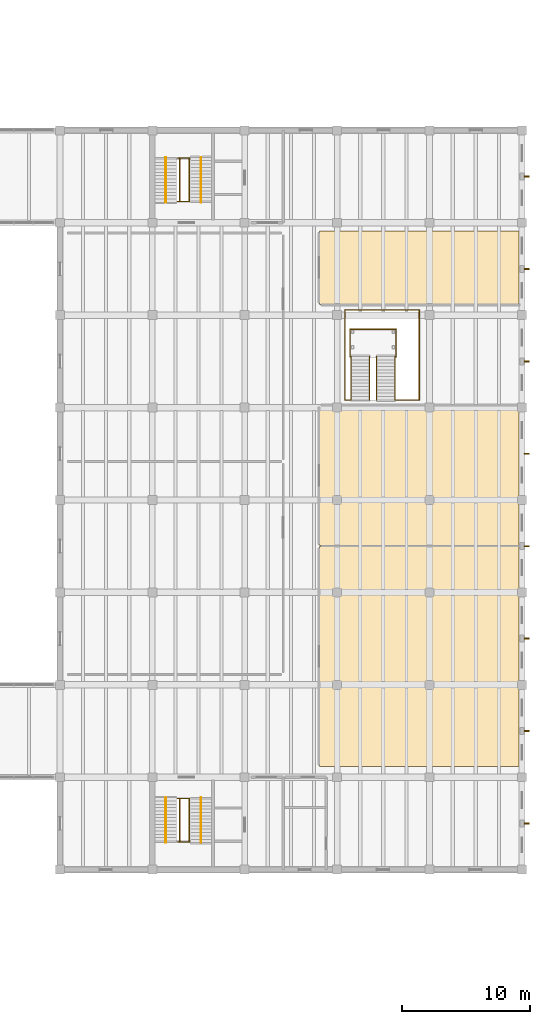
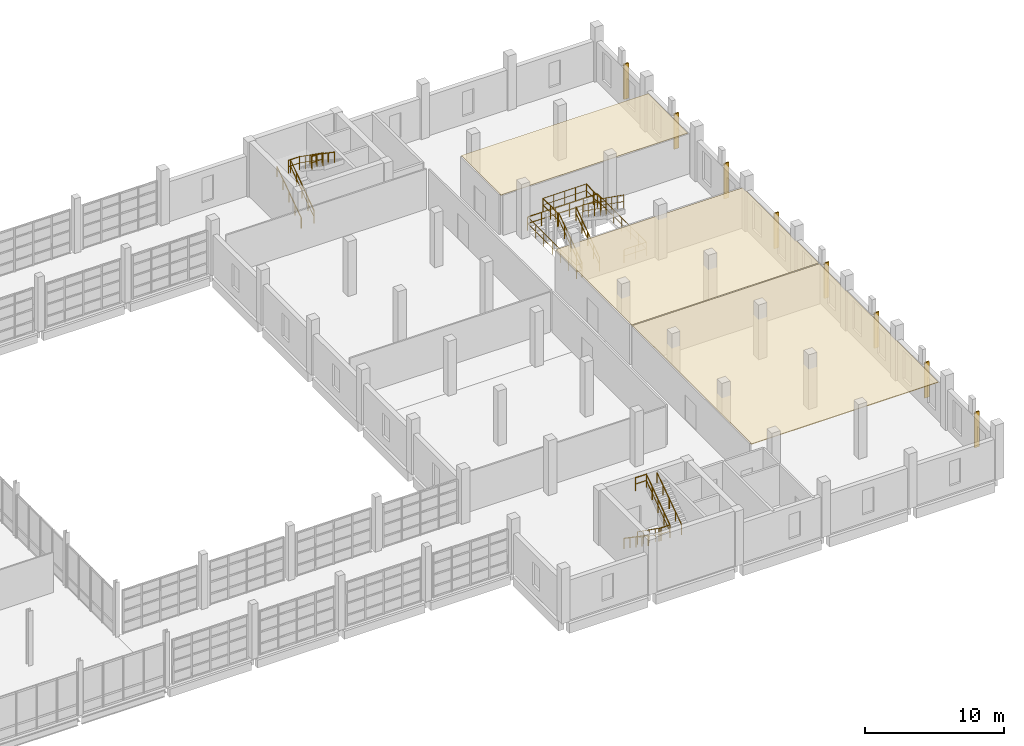
# One storey, part 77 of 77: 24 railings, 8 shading devices, 3 coverings.
"""IFC4 building model written with IfcOpenShell, lengths in metres."""

from ifc_helpers import new_model, si_unit, direction, frame, origin, origin_2d, place, context, subcontext, project, spatial, polyline, rectangle, circle, outline, extrude, material, layer, layer_set, material_profile, profile_set, type_object, element, save


model = new_model("IFC4")

# Units and contexts
model_context = context("Model", 3, precision=1e-05, world=origin(), true_north=direction((0.0, 1.0)))
body_context = subcontext(model_context, "Body", "Model", "MODEL_VIEW")
ifc_project = project(units=[si_unit("LENGTHUNIT", "METRE"), si_unit("AREAUNIT", "SQUARE_METRE"), si_unit("VOLUMEUNIT", "CUBIC_METRE"), si_unit("PLANEANGLEUNIT", "RADIAN"), si_unit("MASSUNIT", "GRAM", prefix="KILO")], contexts=[model_context])

# Site, building, storey
site_placement = place(None, origin())
site = spatial("IfcSite", under=ifc_project, at=site_placement, CompositionType="ELEMENT")
building_placement = place(site_placement, origin())
building = spatial("IfcBuilding", under=site, at=building_placement, Name="Qiaolan Assembly House", CompositionType="ELEMENT")
storey_placement = place(building_placement, frame((0.0, 0.0, 5.39990234375)))
storey = spatial("IfcBuildingStorey", under=building, at=storey_placement, Name="L01", CompositionType="ELEMENT", Elevation=5.39990234375)

# Coverings
ifc_material_1 = material(Name="Gypsum plasterboard acoustic ceiling")
ifc_layer_1 = layer(ifc_material_1, 0.044921875)
ifc_layer_set_1 = layer_set([ifc_layer_1], Name="Gypsum plasterboard acoustic ceiling")
covering_type_1 = type_object("IfcCoveringType", Name="COV-CEIL-ACOUSTIC", PredefinedType="CEILING", material=ifc_layer_set_1)
covering_1_placement = place(storey_placement, frame((0.0, 0.0, 3.47509765625)))
element("IfcCovering", 1, at=covering_1_placement, inside=storey, type_object=covering_type_1, Name="Coffer ceiling Parliamentary Research & Carrel Seminar Room", PredefinedType="CEILING", context=body_context, shape_type="SweptSolid", body=[
    extrude(outline(polyline([(157.0400390625, 72.840087890625), (172.550048828125, 72.840087890625), (172.550048828125, 78.56005859375), (157.0400390625, 78.56005859375), (157.0400390625, 72.840087890625)])), origin(), (0.0, 0.0, 1.0), 0.044921875),
])
ifc_material_2 = material(Name="Acoustic oak panelling")
ifc_layer_2 = layer(ifc_material_2, 0.06396484375)
ifc_layer_set_2 = layer_set([ifc_layer_2], Name="Acoustic oak panelling")
covering_type_2 = type_object("IfcCoveringType", Name="COV-CEIL-COFFERED", PredefinedType="CEILING", material=ifc_layer_set_2)
covering_2_placement = place(storey_placement, frame((0.0, 0.0, 3.4560546875)))
element("IfcCovering", 2, at=covering_2_placement, inside=storey, type_object=covering_type_2, Name="Coffer ceiling Members' Library Main Reading Hall", PredefinedType="CEILING", context=body_context, shape_type="SweptSolid", body=[
    extrude(outline(polyline([(157.0400390625, 36.840087890625), (172.550048828125, 36.840087890625), (172.550048828125, 53.9599609375), (157.0400390625, 53.9599609375), (157.0400390625, 36.840087890625)])), origin(), (0.0, 0.0, 1.0), 0.06396484375),
])
covering_3_placement = place(storey_placement, frame((0.0, 0.0, 3.4560546875)))
element("IfcCovering", 3, at=covering_3_placement, inside=storey, type_object=covering_type_2, Name="Coffer ceiling Legislative History & Constitutional Stacks", PredefinedType="CEILING", context=body_context, shape_type="SweptSolid", body=[
    extrude(outline(polyline([(157.0400390625, 54.0400390625), (172.550048828125, 54.0400390625), (172.550048828125, 64.9599609375), (157.0400390625, 64.9599609375), (157.0400390625, 54.0400390625)])), origin(), (0.0, 0.0, 1.0), 0.06396484375),
])

# Railings
ifc_material_3 = material(Name="Anodised bronze aluminium", Category="aluminium")
railing_type_1 = type_object("IfcRailingType", Name="RAL-GUARD-GALLERY-1200", PredefinedType="BALUSTRADE", material=ifc_material_3)
for number, where, name in (
    (4, (159.47998046875, 65.39990234375, 0.0), "GR-02 library flight guard FLT-ST-LB2-1-L"),
    (5, (160.919921875, 65.39990234375, 0.0), "GR-02 library flight guard FLT-ST-LB2-1-R"),
):
    element("IfcRailing", number, at=place(storey_placement, frame(where)), inside=storey, type_object=railing_type_1, Name=name, PredefinedType="BALUSTRADE", context=body_context, shape_type="SweptSolid", body=[
        extrude(circle(Radius=0.02392578125, at=origin_2d()), frame((0.0, 0.0, 1.17578125), z_axis=(0.0, 0.815353794257, 0.578963030072), x_axis=(-1.0, 0.0, 0.0)), (0.0, 0.0, 1.0), 4.1455078125),
        extrude(circle(Radius=0.01611328125, at=origin_2d()), frame((0.0, 0.0, 0.60009765625), z_axis=(0.0, 0.815353794257, 0.578963030072), x_axis=(-1.0, 0.0, 0.0)), (0.0, 0.0, 1.0), 4.1455078125),
        extrude(circle(Radius=0.02099609375, at=origin_2d()), origin(), (0.0, 0.0, 1.0), 1.15185546875),
        extrude(circle(Radius=0.02099609375, at=origin_2d()), frame((0.0, 0.844970703125, 0.60009765625)), (0.0, 0.0, 1.0), 1.15185546875),
        extrude(circle(Radius=0.02099609375, at=origin_2d()), frame((0.0, 1.68994140625, 1.2001953125)), (0.0, 0.0, 1.0), 1.15185546875),
        extrude(circle(Radius=0.02099609375, at=origin_2d()), frame((0.0, 2.53515625, 1.800048828125)), (0.0, 0.0, 1.0), 1.15185546875),
        extrude(circle(Radius=0.02099609375, at=origin_2d()), frame((0.0, 3.380126953125, 2.400146484375)), (0.0, 0.0, 1.0), 1.15185546875),
    ])
for number, where, name in (
    (6, (161.47998046875, 68.780029296875, 2.400146484375), "GR-02 library flight guard FLT-ST-LB2-2-L"),
    (7, (162.919921875, 68.780029296875, 2.400146484375), "GR-02 library flight guard FLT-ST-LB2-2-R"),
):
    element("IfcRailing", number, at=place(storey_placement, frame(where)), inside=storey, type_object=railing_type_1, Name=name, PredefinedType="BALUSTRADE", context=body_context, shape_type="SweptSolid", body=[
        extrude(circle(Radius=0.02392578125, at=origin_2d()), frame((0.0, 0.0, 1.17578125), z_axis=(0.0, -0.815381594603, 0.578923876847), x_axis=(1.0, 0.0, 0.0)), (0.0, 0.0, 1.0), 4.1455078125),
        extrude(circle(Radius=0.01611328125, at=origin_2d()), frame((0.0, 0.0, 0.60009765625), z_axis=(0.0, -0.815381594603, 0.578923876847), x_axis=(1.0, 0.0, 0.0)), (0.0, 0.0, 1.0), 4.1455078125),
        extrude(circle(Radius=0.02099609375, at=origin_2d()), origin(), (0.0, 0.0, 1.0), 1.15185546875),
        extrude(circle(Radius=0.02099609375, at=origin_2d()), frame((0.0, -0.844970703125, 0.60009765625)), (0.0, 0.0, 1.0), 1.15185546875),
        extrude(circle(Radius=0.02099609375, at=origin_2d()), frame((0.0, -1.68994140625, 1.199951171875)), (0.0, 0.0, 1.0), 1.15185546875),
        extrude(circle(Radius=0.02099609375, at=origin_2d()), frame((0.0, -2.53515625, 1.7998046875)), (0.0, 0.0, 1.0), 1.15185546875),
        extrude(circle(Radius=0.02099609375, at=origin_2d()), frame((0.0, -3.380126953125, 2.39990234375)), (0.0, 0.0, 1.0), 1.15185546875),
    ])
railing_1_placement = place(storey_placement, frame((159.39990234375, 68.780029296875, 2.400146484375)))
element("IfcRailing", 8, at=railing_1_placement, inside=storey, type_object=railing_type_1, Name="GR-02 library mid-landing guard ST-LB2 seg 1", PredefinedType="BALUSTRADE", context=body_context, shape_type="SweptSolid", body=[
    extrude(circle(Radius=0.02392578125, at=origin_2d()), frame((0.0, 0.0, 1.17578125), z_axis=(0.0, 1.0, 0.0), x_axis=(-1.0, 0.0, 0.0)), (0.0, 0.0, 1.0), 2.119873046875),
    extrude(circle(Radius=0.01611328125, at=origin_2d()), frame((0.0, 0.0, 0.60009765625), z_axis=(0.0, 1.0, 0.0), x_axis=(-1.0, 0.0, 0.0)), (0.0, 0.0, 1.0), 2.119873046875),
    extrude(circle(Radius=0.02099609375, at=origin_2d()), origin(), (0.0, 0.0, 1.0), 1.15185546875),
    extrude(circle(Radius=0.02099609375, at=origin_2d()), frame((0.0, 1.06005859375, 0.0)), (0.0, 0.0, 1.0), 1.15185546875),
    extrude(circle(Radius=0.02099609375, at=origin_2d()), frame((0.0, 2.119873046875, 0.0)), (0.0, 0.0, 1.0), 1.15185546875),
])
railing_2_placement = place(storey_placement, frame((159.39990234375, 70.89990234375, 2.400146484375)))
element("IfcRailing", 9, at=railing_2_placement, inside=storey, type_object=railing_type_1, Name="GR-02 library mid-landing guard ST-LB2 seg 2", PredefinedType="BALUSTRADE", context=body_context, shape_type="SweptSolid", body=[
    extrude(circle(Radius=0.02392578125, at=origin_2d()), frame((0.0, 0.0, 1.17578125), z_axis=(1.0, 0.0, 0.0), x_axis=(0.0, 1.0, 0.0)), (0.0, 0.0, 1.0), 3.60009765625),
    extrude(circle(Radius=0.01611328125, at=origin_2d()), frame((0.0, 0.0, 0.60009765625), z_axis=(1.0, 0.0, 0.0), x_axis=(0.0, 1.0, 0.0)), (0.0, 0.0, 1.0), 3.60009765625),
    extrude(circle(Radius=0.02099609375, at=origin_2d()), origin(), (0.0, 0.0, 1.0), 1.15185546875),
    extrude(circle(Radius=0.02099609375, at=origin_2d()), frame((0.89990234375, 0.0, 0.0)), (0.0, 0.0, 1.0), 1.15185546875),
    extrude(circle(Radius=0.02099609375, at=origin_2d()), frame((1.800048828125, 0.0, 0.0)), (0.0, 0.0, 1.0), 1.15185546875),
    extrude(circle(Radius=0.02099609375, at=origin_2d()), frame((2.7001953125, 0.0, 0.0)), (0.0, 0.0, 1.0), 1.15185546875),
    extrude(circle(Radius=0.02099609375, at=origin_2d()), frame((3.60009765625, 0.0, 0.0)), (0.0, 0.0, 1.0), 1.15185546875),
])
railing_3_placement = place(storey_placement, frame((163.0, 70.89990234375, 2.400146484375)))
element("IfcRailing", 10, at=railing_3_placement, inside=storey, type_object=railing_type_1, Name="GR-02 library mid-landing guard ST-LB2 seg 3", PredefinedType="BALUSTRADE", context=body_context, shape_type="SweptSolid", body=[
    extrude(circle(Radius=0.02392578125, at=origin_2d()), frame((0.0, 0.0, 1.17578125), z_axis=(0.0, -1.0, 0.0), x_axis=(1.0, 0.0, 0.0)), (0.0, 0.0, 1.0), 2.119873046875),
    extrude(circle(Radius=0.01611328125, at=origin_2d()), frame((0.0, 0.0, 0.60009765625), z_axis=(0.0, -1.0, 0.0), x_axis=(1.0, 0.0, 0.0)), (0.0, 0.0, 1.0), 2.119873046875),
    extrude(circle(Radius=0.02099609375, at=origin_2d()), origin(), (0.0, 0.0, 1.0), 1.15185546875),
    extrude(circle(Radius=0.02099609375, at=origin_2d()), frame((0.0, -1.06005859375, 0.0)), (0.0, 0.0, 1.0), 1.15185546875),
    extrude(circle(Radius=0.02099609375, at=origin_2d()), frame((0.0, -2.119873046875, 0.0)), (0.0, 0.0, 1.0), 1.15185546875),
])
railing_4_placement = place(storey_placement, frame((159.449951171875, 65.39990234375, 0.0)))
element("IfcRailing", 11, at=railing_4_placement, inside=storey, type_object=railing_type_1, Name="GR-02 Library Reading Well Balustrade L01 seg 1", PredefinedType="BALUSTRADE", context=body_context, shape_type="SweptSolid", body=[
    extrude(circle(Radius=0.02392578125, at=origin_2d()), frame((0.0, 0.0, 1.17578125), z_axis=(-1.0, 0.0, 0.0), x_axis=(0.0, -1.0, 0.0)), (0.0, 0.0, 1.0), 0.449951171875),
    extrude(circle(Radius=0.01611328125, at=origin_2d()), frame((0.0, 0.0, 0.60009765625), z_axis=(-1.0, 0.0, 0.0), x_axis=(0.0, -1.0, 0.0)), (0.0, 0.0, 1.0), 0.449951171875),
    extrude(circle(Radius=0.02099609375, at=origin_2d()), origin(), (0.0, 0.0, 1.0), 1.15185546875),
    extrude(circle(Radius=0.02099609375, at=origin_2d()), frame((-0.449951171875, 0.0, 0.0)), (0.0, 0.0, 1.0), 1.15185546875),
])
railing_5_placement = place(storey_placement, frame((159.0, 65.39990234375, 0.0)))
element("IfcRailing", 12, at=railing_5_placement, inside=storey, type_object=railing_type_1, Name="GR-02 Library Reading Well Balustrade L01 seg 2", PredefinedType="BALUSTRADE", context=body_context, shape_type="SweptSolid", body=[
    extrude(circle(Radius=0.02392578125, at=origin_2d()), frame((0.0, 0.0, 1.17578125), z_axis=(0.0, 1.0, 0.0), x_axis=(-1.0, 0.0, 0.0)), (0.0, 0.0, 1.0), 7.0),
    extrude(circle(Radius=0.01611328125, at=origin_2d()), frame((0.0, 0.0, 0.60009765625), z_axis=(0.0, 1.0, 0.0), x_axis=(-1.0, 0.0, 0.0)), (0.0, 0.0, 1.0), 7.0),
    extrude(circle(Radius=0.02099609375, at=origin_2d()), origin(), (0.0, 0.0, 1.0), 1.15185546875),
    extrude(circle(Radius=0.02099609375, at=origin_2d()), frame((0.0, 1.166748046875, 0.0)), (0.0, 0.0, 1.0), 1.15185546875),
    extrude(circle(Radius=0.02099609375, at=origin_2d()), frame((0.0, 2.333251953125, 0.0)), (0.0, 0.0, 1.0), 1.15185546875),
    extrude(circle(Radius=0.02099609375, at=origin_2d()), frame((0.0, 3.5, 0.0)), (0.0, 0.0, 1.0), 1.15185546875),
    extrude(circle(Radius=0.02099609375, at=origin_2d()), frame((0.0, 4.666748046875, 0.0)), (0.0, 0.0, 1.0), 1.15185546875),
    extrude(circle(Radius=0.02099609375, at=origin_2d()), frame((0.0, 5.833251953125, 0.0)), (0.0, 0.0, 1.0), 1.15185546875),
    extrude(circle(Radius=0.02099609375, at=origin_2d()), frame((0.0, 7.0, 0.0)), (0.0, 0.0, 1.0), 1.15185546875),
])
railing_6_placement = place(storey_placement, frame((159.0, 72.39990234375, 0.0)))
element("IfcRailing", 13, at=railing_6_placement, inside=storey, type_object=railing_type_1, Name="GR-02 Library Reading Well Balustrade L01 seg 3", PredefinedType="BALUSTRADE", context=body_context, shape_type="SweptSolid", body=[
    extrude(circle(Radius=0.02392578125, at=origin_2d()), frame((0.0, 0.0, 1.17578125), z_axis=(1.0, 0.0, 0.0), x_axis=(0.0, 1.0, 0.0)), (0.0, 0.0, 1.0), 5.800048828125),
    extrude(circle(Radius=0.01611328125, at=origin_2d()), frame((0.0, 0.0, 0.60009765625), z_axis=(1.0, 0.0, 0.0), x_axis=(0.0, 1.0, 0.0)), (0.0, 0.0, 1.0), 5.800048828125),
    extrude(circle(Radius=0.02099609375, at=origin_2d()), origin(), (0.0, 0.0, 1.0), 1.15185546875),
    extrude(circle(Radius=0.02099609375, at=origin_2d()), frame((1.159912109375, 0.0, 0.0)), (0.0, 0.0, 1.0), 1.15185546875),
    extrude(circle(Radius=0.02099609375, at=origin_2d()), frame((2.320068359375, 0.0, 0.0)), (0.0, 0.0, 1.0), 1.15185546875),
    extrude(circle(Radius=0.02099609375, at=origin_2d()), frame((3.47998046875, 0.0, 0.0)), (0.0, 0.0, 1.0), 1.15185546875),
    extrude(circle(Radius=0.02099609375, at=origin_2d()), frame((4.64013671875, 0.0, 0.0)), (0.0, 0.0, 1.0), 1.15185546875),
    extrude(circle(Radius=0.02099609375, at=origin_2d()), frame((5.800048828125, 0.0, 0.0)), (0.0, 0.0, 1.0), 1.15185546875),
])
railing_7_placement = place(storey_placement, frame((164.800048828125, 72.39990234375, 0.0)))
element("IfcRailing", 14, at=railing_7_placement, inside=storey, type_object=railing_type_1, Name="GR-02 Library Reading Well Balustrade L01 seg 4", PredefinedType="BALUSTRADE", context=body_context, shape_type="SweptSolid", body=[
    extrude(circle(Radius=0.02392578125, at=origin_2d()), frame((0.0, 0.0, 1.17578125), z_axis=(0.0, -1.0, 0.0), x_axis=(1.0, 0.0, 0.0)), (0.0, 0.0, 1.0), 7.0),
    extrude(circle(Radius=0.01611328125, at=origin_2d()), frame((0.0, 0.0, 0.60009765625), z_axis=(0.0, -1.0, 0.0), x_axis=(1.0, 0.0, 0.0)), (0.0, 0.0, 1.0), 7.0),
    extrude(circle(Radius=0.02099609375, at=origin_2d()), origin(), (0.0, 0.0, 1.0), 1.15185546875),
    extrude(circle(Radius=0.02099609375, at=origin_2d()), frame((0.0, -1.166748046875, 0.0)), (0.0, 0.0, 1.0), 1.15185546875),
    extrude(circle(Radius=0.02099609375, at=origin_2d()), frame((0.0, -2.333251953125, 0.0)), (0.0, 0.0, 1.0), 1.15185546875),
    extrude(circle(Radius=0.02099609375, at=origin_2d()), frame((0.0, -3.5, 0.0)), (0.0, 0.0, 1.0), 1.15185546875),
    extrude(circle(Radius=0.02099609375, at=origin_2d()), frame((0.0, -4.666748046875, 0.0)), (0.0, 0.0, 1.0), 1.15185546875),
    extrude(circle(Radius=0.02099609375, at=origin_2d()), frame((0.0, -5.833251953125, 0.0)), (0.0, 0.0, 1.0), 1.15185546875),
    extrude(circle(Radius=0.02099609375, at=origin_2d()), frame((0.0, -7.0, 0.0)), (0.0, 0.0, 1.0), 1.15185546875),
])
railing_8_placement = place(storey_placement, frame((164.800048828125, 65.39990234375, 0.0)))
element("IfcRailing", 15, at=railing_8_placement, inside=storey, type_object=railing_type_1, Name="GR-02 Library Reading Well Balustrade L01 seg 5", PredefinedType="BALUSTRADE", context=body_context, shape_type="SweptSolid", body=[
    extrude(circle(Radius=0.02392578125, at=origin_2d()), frame((0.0, 0.0, 1.17578125), z_axis=(-1.0, 0.0, 0.0), x_axis=(0.0, -1.0, 0.0)), (0.0, 0.0, 1.0), 1.85009765625),
    extrude(circle(Radius=0.01611328125, at=origin_2d()), frame((0.0, 0.0, 0.60009765625), z_axis=(-1.0, 0.0, 0.0), x_axis=(0.0, -1.0, 0.0)), (0.0, 0.0, 1.0), 1.85009765625),
    extrude(circle(Radius=0.02099609375, at=origin_2d()), origin(), (0.0, 0.0, 1.0), 1.15185546875),
    extrude(circle(Radius=0.02099609375, at=origin_2d()), frame((-0.925048828125, 0.0, 0.0)), (0.0, 0.0, 1.0), 1.15185546875),
    extrude(circle(Radius=0.02099609375, at=origin_2d()), frame((-1.85009765625, 0.0, 0.0)), (0.0, 0.0, 1.0), 1.15185546875),
])
railing_type_2 = type_object("IfcRailingType", Name="RAL-GUARD-STAIRWELL-1150", PredefinedType="GUARDRAIL", material=ifc_material_3)
railing_9_placement = place(storey_placement, frame((146.139892578125, 34.35009765625, 0.0)))
element("IfcRailing", 16, at=railing_9_placement, inside=storey, type_object=railing_type_2, Name="GR-01 stair inner-well guard FLT-CORE-E-L01-1", PredefinedType="GUARDRAIL", context=body_context, shape_type="SweptSolid", body=[
    extrude(circle(Radius=0.02392578125, at=origin_2d()), frame((0.0, 0.0, 1.1259765625), z_axis=(0.0, -0.815353794257, 0.578963030072), x_axis=(1.0, 0.0, 0.0)), (0.0, 0.0, 1.0), 4.1455078125),
    extrude(circle(Radius=0.01611328125, at=origin_2d()), frame((0.0, 0.0, 0.574951171875), z_axis=(0.0, -0.815353794257, 0.578963030072), x_axis=(1.0, 0.0, 0.0)), (0.0, 0.0, 1.0), 4.1455078125),
    extrude(circle(Radius=0.02099609375, at=origin_2d()), origin(), (0.0, 0.0, 1.0), 1.101806640625),
    extrude(circle(Radius=0.02099609375, at=origin_2d()), frame((0.0, -0.844970703125, 0.60009765625)), (0.0, 0.0, 1.0), 1.101806640625),
    extrude(circle(Radius=0.02099609375, at=origin_2d()), frame((0.0, -1.68994140625, 1.2001953125)), (0.0, 0.0, 1.0), 1.101806640625),
    extrude(circle(Radius=0.02099609375, at=origin_2d()), frame((0.0, -2.53515625, 1.800048828125)), (0.0, 0.0, 1.0), 1.101806640625),
    extrude(circle(Radius=0.02099609375, at=origin_2d()), frame((0.0, -3.380126953125, 2.400146484375)), (0.0, 0.0, 1.0), 1.101806640625),
])
railing_10_placement = place(storey_placement, frame((146.8798828125, 30.969970703125, 2.400146484375)))
element("IfcRailing", 17, at=railing_10_placement, inside=storey, type_object=railing_type_2, Name="GR-01 stair inner-well guard FLT-CORE-E-L01-2", PredefinedType="GUARDRAIL", context=body_context, shape_type="SweptSolid", body=[
    extrude(circle(Radius=0.02392578125, at=origin_2d()), frame((0.0, 0.0, 1.1259765625), z_axis=(0.0, 0.815381594603, 0.578923876847), x_axis=(-1.0, 0.0, 0.0)), (0.0, 0.0, 1.0), 4.1455078125),
    extrude(circle(Radius=0.01611328125, at=origin_2d()), frame((0.0, 0.0, 0.574951171875), z_axis=(0.0, 0.815381594603, 0.578923876847), x_axis=(-1.0, 0.0, 0.0)), (0.0, 0.0, 1.0), 4.1455078125),
    extrude(circle(Radius=0.02099609375, at=origin_2d()), origin(), (0.0, 0.0, 1.0), 1.101806640625),
    extrude(circle(Radius=0.02099609375, at=origin_2d()), frame((0.0, 0.844970703125, 0.60009765625)), (0.0, 0.0, 1.0), 1.101806640625),
    extrude(circle(Radius=0.02099609375, at=origin_2d()), frame((0.0, 1.68994140625, 1.199951171875)), (0.0, 0.0, 1.0), 1.101806640625),
    extrude(circle(Radius=0.02099609375, at=origin_2d()), frame((0.0, 2.53515625, 1.7998046875)), (0.0, 0.0, 1.0), 1.101806640625),
    extrude(circle(Radius=0.02099609375, at=origin_2d()), frame((0.0, 3.380126953125, 2.39990234375)), (0.0, 0.0, 1.0), 1.101806640625),
])
for number, where, name in (
    (18, (145.97998046875, 30.969970703125, 2.400146484375), "GR-01 stairwell landing guard CORE-E L01-1"),
    (19, (145.97998046875, 34.35009765625, 4.800048828125), "GR-01 stairwell landing guard CORE-E L01-2"),
):
    element("IfcRailing", number, at=place(storey_placement, frame(where)), inside=storey, type_object=railing_type_2, Name=name, PredefinedType="GUARDRAIL", context=body_context, shape_type="SweptSolid", body=[
        extrude(circle(Radius=0.02392578125, at=origin_2d()), frame((0.0, 0.0, 1.1259765625), z_axis=(1.0, 0.0, 0.0), x_axis=(0.0, 1.0, 0.0)), (0.0, 0.0, 1.0), 0.919921875),
        extrude(circle(Radius=0.01611328125, at=origin_2d()), frame((0.0, 0.0, 0.574951171875), z_axis=(1.0, 0.0, 0.0), x_axis=(0.0, 1.0, 0.0)), (0.0, 0.0, 1.0), 0.919921875),
        extrude(circle(Radius=0.02099609375, at=origin_2d()), origin(), (0.0, 0.0, 1.0), 1.101806640625),
        extrude(circle(Radius=0.02099609375, at=origin_2d()), frame((0.919921875, 0.0, 0.0)), (0.0, 0.0, 1.0), 1.101806640625),
    ])
railing_11_placement = place(storey_placement, frame((146.139892578125, 80.85009765625, 0.0)))
element("IfcRailing", 20, at=railing_11_placement, inside=storey, type_object=railing_type_2, Name="GR-01 stair inner-well guard FLT-CORE-F-L01-1", PredefinedType="GUARDRAIL", context=body_context, shape_type="SweptSolid", body=[
    extrude(circle(Radius=0.02392578125, at=origin_2d()), frame((0.0, 0.0, 1.1259765625), z_axis=(0.0, 0.815334052488, 0.578990831408), x_axis=(-1.0, 0.0, 0.0)), (0.0, 0.0, 1.0), 4.1455078125),
    extrude(circle(Radius=0.01611328125, at=origin_2d()), frame((0.0, 0.0, 0.574951171875), z_axis=(0.0, 0.815334052488, 0.578990831408), x_axis=(-1.0, 0.0, 0.0)), (0.0, 0.0, 1.0), 4.1455078125),
    extrude(circle(Radius=0.02099609375, at=origin_2d()), origin(), (0.0, 0.0, 1.0), 1.101806640625),
    extrude(circle(Radius=0.02099609375, at=origin_2d()), frame((0.0, 0.844970703125, 0.60009765625)), (0.0, 0.0, 1.0), 1.101806640625),
    extrude(circle(Radius=0.02099609375, at=origin_2d()), frame((0.0, 1.68994140625, 1.2001953125)), (0.0, 0.0, 1.0), 1.101806640625),
    extrude(circle(Radius=0.02099609375, at=origin_2d()), frame((0.0, 2.534912109375, 1.800048828125)), (0.0, 0.0, 1.0), 1.101806640625),
    extrude(circle(Radius=0.02099609375, at=origin_2d()), frame((0.0, 3.3798828125, 2.400146484375)), (0.0, 0.0, 1.0), 1.101806640625),
])
railing_12_placement = place(storey_placement, frame((146.8798828125, 84.22998046875, 2.400146484375)))
element("IfcRailing", 21, at=railing_12_placement, inside=storey, type_object=railing_type_2, Name="GR-01 stair inner-well guard FLT-CORE-F-L01-2", PredefinedType="GUARDRAIL", context=body_context, shape_type="SweptSolid", body=[
    extrude(circle(Radius=0.02392578125, at=origin_2d()), frame((0.0, 0.0, 1.1259765625), z_axis=(0.0, -0.81536185483, 0.578951678198), x_axis=(1.0, 0.0, 0.0)), (0.0, 0.0, 1.0), 4.145263671875),
    extrude(circle(Radius=0.01611328125, at=origin_2d()), frame((0.0, 0.0, 0.574951171875), z_axis=(0.0, -0.81536185483, 0.578951678198), x_axis=(1.0, 0.0, 0.0)), (0.0, 0.0, 1.0), 4.145263671875),
    extrude(circle(Radius=0.02099609375, at=origin_2d()), origin(), (0.0, 0.0, 1.0), 1.101806640625),
    extrude(circle(Radius=0.02099609375, at=origin_2d()), frame((0.0, -0.844970703125, 0.60009765625)), (0.0, 0.0, 1.0), 1.101806640625),
    extrude(circle(Radius=0.02099609375, at=origin_2d()), frame((0.0, -1.68994140625, 1.199951171875)), (0.0, 0.0, 1.0), 1.101806640625),
    extrude(circle(Radius=0.02099609375, at=origin_2d()), frame((0.0, -2.534912109375, 1.7998046875)), (0.0, 0.0, 1.0), 1.101806640625),
    extrude(circle(Radius=0.02099609375, at=origin_2d()), frame((0.0, -3.3798828125, 2.39990234375)), (0.0, 0.0, 1.0), 1.101806640625),
])
for number, where, name in (
    (22, (145.97998046875, 84.22998046875, 2.400146484375), "GR-01 stairwell landing guard CORE-F L01-1"),
    (23, (145.97998046875, 80.85009765625, 4.800048828125), "GR-01 stairwell landing guard CORE-F L01-2"),
):
    element("IfcRailing", number, at=place(storey_placement, frame(where)), inside=storey, type_object=railing_type_2, Name=name, PredefinedType="GUARDRAIL", context=body_context, shape_type="SweptSolid", body=[
        extrude(circle(Radius=0.02392578125, at=origin_2d()), frame((0.0, 0.0, 1.1259765625), z_axis=(1.0, 0.0, 0.0), x_axis=(0.0, 1.0, 0.0)), (0.0, 0.0, 1.0), 0.919921875),
        extrude(circle(Radius=0.01611328125, at=origin_2d()), frame((0.0, 0.0, 0.574951171875), z_axis=(1.0, 0.0, 0.0), x_axis=(0.0, 1.0, 0.0)), (0.0, 0.0, 1.0), 0.919921875),
        extrude(circle(Radius=0.02099609375, at=origin_2d()), origin(), (0.0, 0.0, 1.0), 1.101806640625),
        extrude(circle(Radius=0.02099609375, at=origin_2d()), frame((0.919921875, 0.0, 0.0)), (0.0, 0.0, 1.0), 1.101806640625),
    ])
railing_type_3 = type_object("IfcRailingType", Name="RAL-HANDRAIL-STAIR-920", PredefinedType="HANDRAIL", material=ifc_material_3)
railing_13_placement = place(storey_placement, frame((145.050048828125, 34.409912109375, 0.0)))
element("IfcRailing", 24, at=railing_13_placement, inside=storey, type_object=railing_type_3, Name="HR-01 stair handrail FLT-CORE-E-L01-1", PredefinedType="HANDRAIL", context=body_context, shape_type="SweptSolid", body=[
    extrude(circle(Radius=0.02392578125, at=origin_2d()), frame((0.0, 0.0, 0.89599609375), z_axis=(0.0, -0.824712752785, 0.565551832633), x_axis=(1.0, 0.0, 0.0)), (0.0, 0.0, 1.0), 4.243896484375),
    extrude(circle(Radius=0.02099609375, at=origin_2d()), origin(), (0.0, 0.0, 1.0), 0.871826171875),
    extrude(circle(Radius=0.02099609375, at=origin_2d()), frame((0.0, -0.875, 0.60009765625)), (0.0, 0.0, 1.0), 0.871826171875),
    extrude(circle(Radius=0.02099609375, at=origin_2d()), frame((0.0, -1.75, 1.2001953125)), (0.0, 0.0, 1.0), 0.871826171875),
    extrude(circle(Radius=0.02099609375, at=origin_2d()), frame((0.0, -2.625, 1.800048828125)), (0.0, 0.0, 1.0), 0.871826171875),
    extrude(circle(Radius=0.02099609375, at=origin_2d()), frame((0.0, -3.5, 2.400146484375)), (0.0, 0.0, 1.0), 0.871826171875),
])
railing_14_placement = place(storey_placement, frame((147.800048828125, 30.909912109375, 2.400146484375)))
element("IfcRailing", 25, at=railing_14_placement, inside=storey, type_object=railing_type_3, Name="HR-01 stair handrail FLT-CORE-E-L01-2", PredefinedType="HANDRAIL", context=body_context, shape_type="SweptSolid", body=[
    extrude(circle(Radius=0.02392578125, at=origin_2d()), frame((0.0, 0.0, 0.89599609375), z_axis=(0.0, 0.824739584531, 0.5655127034), x_axis=(-1.0, 0.0, 0.0)), (0.0, 0.0, 1.0), 4.24365234375),
    extrude(circle(Radius=0.02099609375, at=origin_2d()), origin(), (0.0, 0.0, 1.0), 0.871826171875),
    extrude(circle(Radius=0.02099609375, at=origin_2d()), frame((0.0, 0.875, 0.60009765625)), (0.0, 0.0, 1.0), 0.871826171875),
    extrude(circle(Radius=0.02099609375, at=origin_2d()), frame((0.0, 1.75, 1.199951171875)), (0.0, 0.0, 1.0), 0.871826171875),
    extrude(circle(Radius=0.02099609375, at=origin_2d()), frame((0.0, 2.625, 1.7998046875)), (0.0, 0.0, 1.0), 0.871826171875),
    extrude(circle(Radius=0.02099609375, at=origin_2d()), frame((0.0, 3.5, 2.39990234375)), (0.0, 0.0, 1.0), 0.871826171875),
])
railing_15_placement = place(storey_placement, frame((145.050048828125, 80.7900390625, 0.0)))
element("IfcRailing", 26, at=railing_15_placement, inside=storey, type_object=railing_type_3, Name="HR-01 stair handrail FLT-CORE-F-L01-1", PredefinedType="HANDRAIL", context=body_context, shape_type="SweptSolid", body=[
    extrude(circle(Radius=0.02392578125, at=origin_2d()), frame((0.0, 0.0, 0.89599609375), z_axis=(0.0, 0.824712752785, 0.565551832633), x_axis=(-1.0, 0.0, 0.0)), (0.0, 0.0, 1.0), 4.243896484375),
    extrude(circle(Radius=0.02099609375, at=origin_2d()), origin(), (0.0, 0.0, 1.0), 0.871826171875),
    extrude(circle(Radius=0.02099609375, at=origin_2d()), frame((0.0, 0.875, 0.60009765625)), (0.0, 0.0, 1.0), 0.871826171875),
    extrude(circle(Radius=0.02099609375, at=origin_2d()), frame((0.0, 1.75, 1.2001953125)), (0.0, 0.0, 1.0), 0.871826171875),
    extrude(circle(Radius=0.02099609375, at=origin_2d()), frame((0.0, 2.625, 1.800048828125)), (0.0, 0.0, 1.0), 0.871826171875),
    extrude(circle(Radius=0.02099609375, at=origin_2d()), frame((0.0, 3.5, 2.400146484375)), (0.0, 0.0, 1.0), 0.871826171875),
])
railing_16_placement = place(storey_placement, frame((147.800048828125, 84.2900390625, 2.400146484375)))
element("IfcRailing", 27, at=railing_16_placement, inside=storey, type_object=railing_type_3, Name="HR-01 stair handrail FLT-CORE-F-L01-2", PredefinedType="HANDRAIL", context=body_context, shape_type="SweptSolid", body=[
    extrude(circle(Radius=0.02392578125, at=origin_2d()), frame((0.0, 0.0, 0.89599609375), z_axis=(0.0, -0.824739584531, 0.5655127034), x_axis=(1.0, 0.0, 0.0)), (0.0, 0.0, 1.0), 4.24365234375),
    extrude(circle(Radius=0.02099609375, at=origin_2d()), origin(), (0.0, 0.0, 1.0), 0.871826171875),
    extrude(circle(Radius=0.02099609375, at=origin_2d()), frame((0.0, -0.875, 0.60009765625)), (0.0, 0.0, 1.0), 0.871826171875),
    extrude(circle(Radius=0.02099609375, at=origin_2d()), frame((0.0, -1.75, 1.199951171875)), (0.0, 0.0, 1.0), 0.871826171875),
    extrude(circle(Radius=0.02099609375, at=origin_2d()), frame((0.0, -2.625, 1.7998046875)), (0.0, 0.0, 1.0), 0.871826171875),
    extrude(circle(Radius=0.02099609375, at=origin_2d()), frame((0.0, -3.5, 2.39990234375)), (0.0, 0.0, 1.0), 0.871826171875),
])

# Shading devices
ifc_material_4 = material(Name="Honed pale limestone", Category="masonry")
ifc_material_profile = material_profile(ifc_material_4, rectangle(XDim=0.110107421875, YDim=0.39990234375, at=origin_2d()), Name="FIN 110x400")
ifc_profile_set = profile_set([ifc_material_profile], Name="Honed pale limestone")
shading_device_type = type_object("IfcShadingDeviceType", Name="SHD-FIN-LIB-400", PredefinedType="JALOUSIE", material=ifc_profile_set)
for number, where, z_axis, x_axis, name in (
    (28, (173.159912109375, 32.39990234375, 0.300048828125), (0.0, 0.0, 1.0), (0.0, 1.0, 0.0), "SH-03 library east stone fin L01-1"),
    (29, (173.159912109375, 39.60009765625, 0.300048828125), (0.0, 0.0, 1.0), (0.0, 1.0, 0.0), "SH-03 library east stone fin L01-2"),
    (30, (173.159912109375, 46.800048828125, 0.300048828125), (0.0, 0.0, 1.0), (0.0, 1.0, 0.0), "SH-03 library east stone fin L01-3"),
    (31, (173.159912109375, 54.0, 0.300048828125), (0.0, 0.0, 1.0), (0.0, 1.0, 0.0), "SH-03 library east stone fin L01-4"),
    (32, (173.159912109375, 61.199951171875, 0.300048828125), (0.0, 0.0, 1.0), (0.0, 1.0, 0.0), "SH-03 library east stone fin L01-5"),
    (33, (173.159912109375, 68.39990234375, 0.300048828125), (0.0, 0.0, 1.0), (0.0, 1.0, 0.0), "SH-03 library east stone fin L01-6"),
    (34, (173.159912109375, 75.60009765625, 0.300048828125), (0.0, 0.0, 1.0), (0.0, 1.0, 0.0), "SH-03 library east stone fin L01-7"),
    (35, (173.159912109375, 82.800048828125, 0.300048828125), (0.0, 0.0, 1.0), (0.0, 1.0, 0.0), "SH-03 library east stone fin L01-8"),
):
    element("IfcShadingDevice", number, at=place(storey_placement, frame(where, z_axis=z_axis, x_axis=x_axis)), inside=storey, type_object=shading_device_type, Name=name, PredefinedType="JALOUSIE", context=body_context, shape_type="SweptSolid", body=[
        extrude(rectangle(XDim=0.110107421875, YDim=0.39990234375, at=origin_2d()), origin(), (0.0, 0.0, 1.0), 3.10009765625),
    ])

save(model, "model.ifc")
